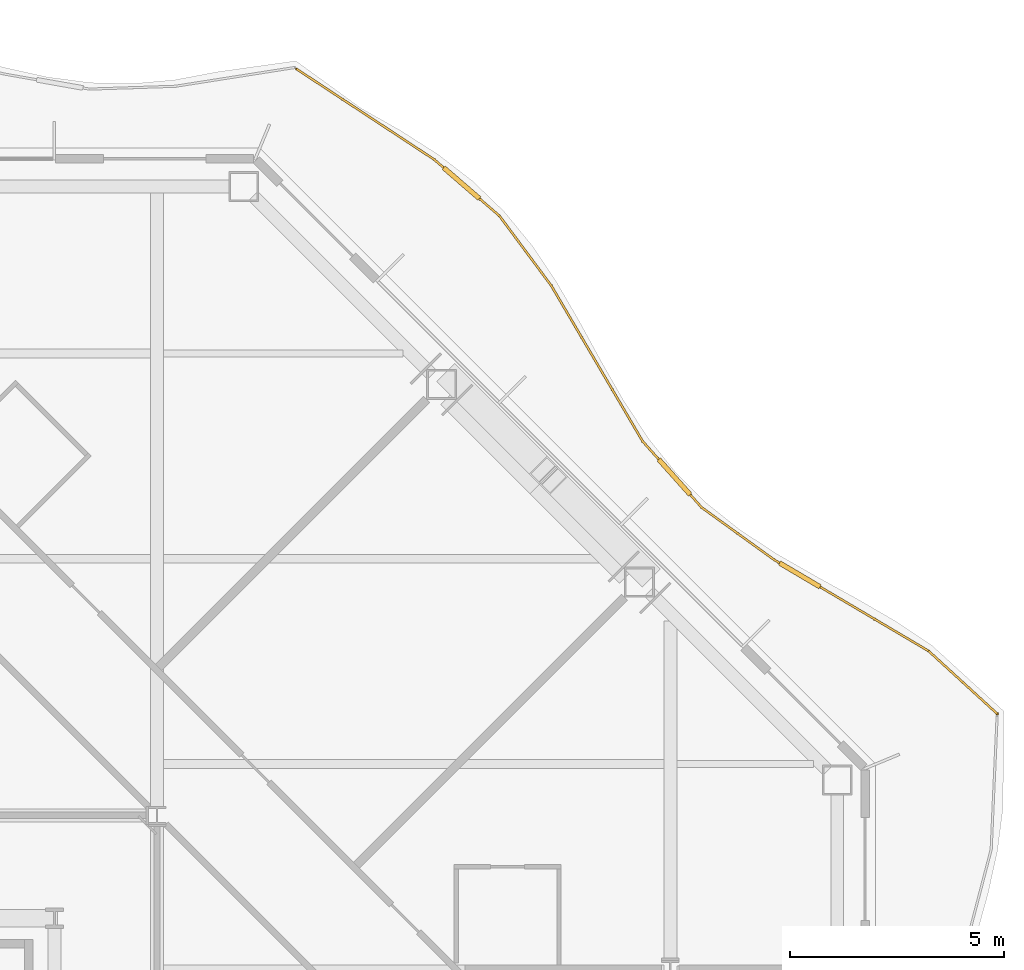
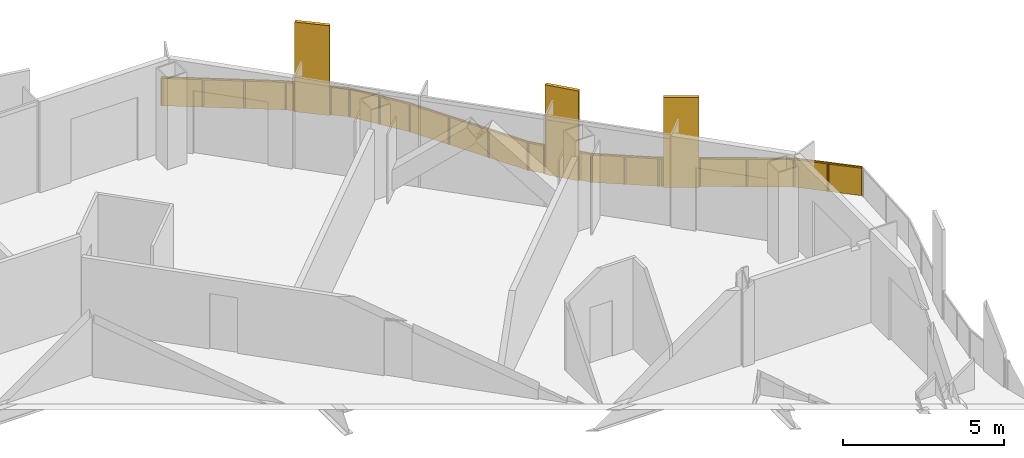
# One storey, part 21 of 21: 1 railing.
"""IFC4 building model written with IfcOpenShell, lengths in metres."""

from ifc_helpers import new_model, si_unit, direction, frame, origin, origin_2d, place, context, subcontext, project, spatial, polyline, rectangle, outline, extrude, material, type_object, element, save


model = new_model("IFC4")

# Units and contexts
model_context = context("Model", 3, precision=1e-05, world=origin(), true_north=direction((0.0, 1.0)))
body_context = subcontext(model_context, "Body", "Model", "MODEL_VIEW")
ifc_project = project(units=[si_unit("LENGTHUNIT", "METRE"), si_unit("AREAUNIT", "SQUARE_METRE"), si_unit("VOLUMEUNIT", "CUBIC_METRE"), si_unit("PLANEANGLEUNIT", "RADIAN"), si_unit("MASSUNIT", "GRAM", prefix="KILO")], contexts=[model_context])

# Site, building, storey
site_placement = place(None, origin())
site = spatial("IfcSite", under=ifc_project, at=site_placement, CompositionType="ELEMENT")
building_placement = place(site_placement, origin())
building = spatial("IfcBuilding", under=site, at=building_placement, Name="Cairn Pilgrim Tower", CompositionType="ELEMENT")
storey_placement = place(building_placement, frame((0.0, 0.0, 132.60009765625)))
storey = spatial("IfcBuildingStorey", under=building, at=storey_placement, Name="L32", CompositionType="ELEMENT", Elevation=132.60009765625)

# Railing
ifc_material = material(Name="Bronze anodised aluminium rail, posts and fin screens with laminated glass infill", Category="aluminium")
railing_type = type_object("IfcRailingType", Name="BALCONY GUARD WITH FIN SCREENS", PredefinedType="GUARDRAIL", material=ifc_material)
railing_placement = place(storey_placement, frame((38.83935546875, 15.576171875, 0.0)))
element("IfcRailing", 1, at=railing_placement, inside=storey, type_object=railing_type, Name="Balcony guard BGF-4 with fin screens", PredefinedType="GUARDRAIL", context=body_context, shape_type="SweptSolid", body=[
    extrude(rectangle(XDim=0.050048828125, YDim=0.050048828125, at=origin_2d()), frame((0.0, 0.0, 1.0751953125), z_axis=(-0.737797082339, 0.675022566506, 0.0), x_axis=(-0.675022566506, -0.737797082339, 0.0)), (0.0, 0.0, 1.0), 2.174072265625),
    extrude(rectangle(XDim=1.10009765625, YDim=0.110107421875, at=origin_2d()), frame((-4.61474609375, 3.246337890625, 0.0), z_axis=(0.0, 0.0, 1.0), x_axis=(-0.860978636449, 0.508641118648, 0.0)), (0.0, 0.0, 1.0), 3.39990234375),
    extrude(rectangle(XDim=0.050048828125, YDim=0.050048828125, at=origin_2d()), frame((-1.60400390625, 1.467529296875, 1.0751953125), z_axis=(-0.860978636449, 0.508641118648, 0.0), x_axis=(-0.508641118648, -0.860978636449, 0.0)), (0.0, 0.0, 1.0), 2.947021484375),
    extrude(rectangle(XDim=0.050048828125, YDim=0.050048828125, at=origin_2d()), frame((-5.08837890625, 3.52587890625, 1.0751953125), z_axis=(-0.860978636449, 0.508641118648, 0.0), x_axis=(-0.508641118648, -0.860978636449, 0.0)), (0.0, 0.0, 1.0), 0.150146484375),
    extrude(rectangle(XDim=0.050048828125, YDim=0.050048828125, at=origin_2d()), frame((-5.217529296875, 3.602294921875, 1.0751953125), z_axis=(-0.810916787047, 0.585161485818, 0.0), x_axis=(-0.585161485818, -0.810916787047, 0.0)), (0.0, 0.0, 1.0), 2.086181640625),
    extrude(rectangle(XDim=1.10009765625, YDim=0.110107421875, at=origin_2d()), frame((-7.543701171875, 5.5341796875, 0.0), z_axis=(0.0, 0.0, 1.0), x_axis=(-0.665701794098, 0.746217877925, 0.0)), (0.0, 0.0, 1.0), 3.39990234375),
    extrude(rectangle(XDim=0.050048828125, YDim=0.050048828125, at=origin_2d()), frame((-6.9091796875, 4.822998046875, 1.0751953125), z_axis=(-0.665701794098, 0.746217877925, 0.0), x_axis=(-0.746217877925, -0.665701794098, 0.0)), (0.0, 0.0, 1.0), 0.403076171875),
    extrude(rectangle(XDim=0.050048828125, YDim=0.050048828125, at=origin_2d()), frame((-7.90966796875, 5.944580078125, 1.0751953125), z_axis=(-0.665701794098, 0.746217877925, 0.0), x_axis=(-0.746217877925, -0.665701794098, 0.0)), (0.0, 0.0, 1.0), 0.56787109375),
    extrude(rectangle(XDim=0.050048828125, YDim=0.050048828125, at=origin_2d()), frame((-8.287841796875, 6.368408203125, 1.0751953125), z_axis=(-0.506184649449, 0.862425127569, 0.0), x_axis=(-0.862425127569, -0.506184649449, 0.0)), (0.0, 0.0, 1.0), 4.21533203125),
    extrude(rectangle(XDim=0.050048828125, YDim=0.050048828125, at=origin_2d()), frame((-10.421630859375, 10.00390625, 1.0751953125), z_axis=(-0.596036689658, 0.80295719972, 0.0), x_axis=(-0.80295719972, -0.596036689658, 0.0)), (0.0, 0.0, 1.0), 2.0341796875),
    extrude(rectangle(XDim=1.10009765625, YDim=0.110107421875, at=origin_2d()), frame((-12.52197265625, 12.404296875, 0.0), z_axis=(0.0, 0.0, 1.0), x_axis=(-0.756771251434, 0.653679793939, 0.0)), (0.0, 0.0, 1.0), 3.39990234375),
    extrude(rectangle(XDim=0.050048828125, YDim=0.050048828125, at=origin_2d()), frame((-11.634033203125, 11.63720703125, 1.0751953125), z_axis=(-0.756771251434, 0.653679793939, 0.0), x_axis=(-0.653679793939, -0.756771251434, 0.0)), (0.0, 0.0, 1.0), 0.623291015625),
    extrude(rectangle(XDim=0.050048828125, YDim=0.050048828125, at=origin_2d()), frame((-12.938232421875, 12.763671875, 1.0751953125), z_axis=(-0.756771251434, 0.653679793939, 0.0), x_axis=(-0.653679793939, -0.756771251434, 0.0)), (0.0, 0.0, 1.0), 0.2919921875),
    extrude(rectangle(XDim=0.050048828125, YDim=0.050048828125, at=origin_2d()), frame((-13.1591796875, 12.95458984375, 1.0751953125), z_axis=(-0.835542609382, 0.549425652757, 0.0), x_axis=(-0.549425652757, -0.835542609382, 0.0)), (0.0, 0.0, 1.0), 3.853515625),
    extrude(rectangle(XDim=0.050048828125, YDim=0.050048828125, at=origin_2d()), origin(), (0.0, 0.0, 1.0), 1.050048828125),
    extrude(rectangle(XDim=0.050048828125, YDim=0.050048828125, at=origin_2d()), frame((-0.802001953125, 0.73388671875, 0.0)), (0.0, 0.0, 1.0), 1.050048828125),
    extrude(rectangle(XDim=0.050048828125, YDim=0.050048828125, at=origin_2d()), frame((-1.60400390625, 1.467529296875, 0.0)), (0.0, 0.0, 1.0), 1.050048828125),
    extrude(rectangle(XDim=0.050048828125, YDim=0.050048828125, at=origin_2d()), frame((-2.86181640625, 2.210693359375, 0.0)), (0.0, 0.0, 1.0), 1.050048828125),
    extrude(rectangle(XDim=0.050048828125, YDim=0.050048828125, at=origin_2d()), frame((-4.11962890625, 2.953857421875, 0.0)), (0.0, 0.0, 1.0), 1.050048828125),
    extrude(rectangle(XDim=0.050048828125, YDim=0.050048828125, at=origin_2d()), frame((-5.10986328125, 3.538818359375, 0.0)), (0.0, 0.0, 1.0), 1.050048828125),
    extrude(rectangle(XDim=0.050048828125, YDim=0.050048828125, at=origin_2d()), frame((-5.217529296875, 3.602294921875, 0.0)), (0.0, 0.0, 1.0), 1.050048828125),
    extrude(rectangle(XDim=0.050048828125, YDim=0.050048828125, at=origin_2d()), frame((-6.0634765625, 4.212646484375, 0.0)), (0.0, 0.0, 1.0), 1.050048828125),
    extrude(rectangle(XDim=0.050048828125, YDim=0.050048828125, at=origin_2d()), frame((-6.9091796875, 4.822998046875, 0.0)), (0.0, 0.0, 1.0), 1.050048828125),
    extrude(rectangle(XDim=0.050048828125, YDim=0.050048828125, at=origin_2d()), frame((-7.160888671875, 5.10498046875, 0.0)), (0.0, 0.0, 1.0), 1.050048828125),
    extrude(rectangle(XDim=0.050048828125, YDim=0.050048828125, at=origin_2d()), frame((-7.926513671875, 5.96337890625, 0.0)), (0.0, 0.0, 1.0), 1.050048828125),
    extrude(rectangle(XDim=0.050048828125, YDim=0.050048828125, at=origin_2d()), frame((-8.287841796875, 6.368408203125, 0.0)), (0.0, 0.0, 1.0), 1.050048828125),
    extrude(rectangle(XDim=0.050048828125, YDim=0.050048828125, at=origin_2d()), frame((-8.9990234375, 7.580322265625, 0.0)), (0.0, 0.0, 1.0), 1.050048828125),
    extrude(rectangle(XDim=0.050048828125, YDim=0.050048828125, at=origin_2d()), frame((-9.71044921875, 8.7919921875, 0.0)), (0.0, 0.0, 1.0), 1.050048828125),
    extrude(rectangle(XDim=0.050048828125, YDim=0.050048828125, at=origin_2d()), frame((-10.421630859375, 10.00390625, 0.0)), (0.0, 0.0, 1.0), 1.050048828125),
    extrude(rectangle(XDim=0.050048828125, YDim=0.050048828125, at=origin_2d()), frame((-11.02783203125, 10.820556640625, 0.0)), (0.0, 0.0, 1.0), 1.050048828125),
    extrude(rectangle(XDim=0.050048828125, YDim=0.050048828125, at=origin_2d()), frame((-11.634033203125, 11.63720703125, 0.0)), (0.0, 0.0, 1.0), 1.050048828125),
    extrude(rectangle(XDim=0.050048828125, YDim=0.050048828125, at=origin_2d()), frame((-12.0869140625, 12.0283203125, 0.0)), (0.0, 0.0, 1.0), 1.050048828125),
    extrude(rectangle(XDim=0.050048828125, YDim=0.050048828125, at=origin_2d()), frame((-12.95703125, 12.780029296875, 0.0)), (0.0, 0.0, 1.0), 1.050048828125),
    extrude(rectangle(XDim=0.050048828125, YDim=0.050048828125, at=origin_2d()), frame((-13.1591796875, 12.95458984375, 0.0)), (0.0, 0.0, 1.0), 1.050048828125),
    extrude(rectangle(XDim=0.050048828125, YDim=0.050048828125, at=origin_2d()), frame((-14.232421875, 13.660400390625, 0.0)), (0.0, 0.0, 1.0), 1.050048828125),
    extrude(rectangle(XDim=0.050048828125, YDim=0.050048828125, at=origin_2d()), frame((-15.3056640625, 14.365966796875, 0.0)), (0.0, 0.0, 1.0), 1.050048828125),
    extrude(rectangle(XDim=0.050048828125, YDim=0.050048828125, at=origin_2d()), frame((-16.37890625, 15.07177734375, 0.0)), (0.0, 0.0, 1.0), 1.050048828125),
    extrude(outline(polyline([(0.02490234375, 0.0), (1.06201171875, 0.0), (1.06201171875, 1.050048828125), (0.02490234375, 1.050048828125), (0.02490234375, 0.0)])), frame((-0.004150390625, -0.00439453125, 0.0), z_axis=(0.675022566506, 0.737797082339, 0.0), x_axis=(-0.737797082339, 0.675022566506, 0.0)), (0.0, 0.0, 1.0), 0.011962890625),
    extrude(outline(polyline([(0.02490234375, 0.0), (1.06201171875, 0.0), (1.06201171875, 1.050048828125), (0.02490234375, 1.050048828125), (0.02490234375, 0.0)])), frame((-0.80615234375, 0.729248046875, 0.0), z_axis=(0.675022566506, 0.737797082339, 0.0), x_axis=(-0.737797082339, 0.675022566506, 0.0)), (0.0, 0.0, 1.0), 0.011962890625),
    extrude(outline(polyline([(0.02490234375, 0.0), (1.43603515625, 0.0), (1.43603515625, 1.050048828125), (0.02490234375, 1.050048828125), (0.02490234375, 0.0)])), frame((-1.60693359375, 1.46240234375, 0.0), z_axis=(0.508641118648, 0.860978636449, 0.0), x_axis=(-0.860978636449, 0.508641118648, 0.0)), (0.0, 0.0, 1.0), 0.011962890625),
    extrude(outline(polyline([(0.02490234375, 0.0), (1.43603515625, 0.0), (1.43603515625, 1.050048828125), (0.02490234375, 1.050048828125), (0.02490234375, 0.0)])), frame((-2.864990234375, 2.20556640625, 0.0), z_axis=(0.508641118648, 0.860978636449, 0.0), x_axis=(-0.860978636449, 0.508641118648, 0.0)), (0.0, 0.0, 1.0), 0.011962890625),
    extrude(outline(polyline([(0.02490234375, 0.0), (0.10009765625, 0.0), (0.10009765625, 1.050048828125), (0.02490234375, 1.050048828125), (0.02490234375, 0.0)])), frame((-5.113037109375, 3.533447265625, 0.0), z_axis=(0.508641118648, 0.860978636449, 0.0), x_axis=(-0.860978636449, 0.508641118648, 0.0)), (0.0, 0.0, 1.0), 0.011962890625),
    extrude(outline(polyline([(0.02490234375, 0.0), (1.01806640625, 0.0), (1.01806640625, 1.050048828125), (0.02490234375, 1.050048828125), (0.02490234375, 0.0)])), frame((-5.220947265625, 3.597412109375, 0.0), z_axis=(0.585161485818, 0.810916787047, 0.0), x_axis=(-0.810916787047, 0.585161485818, 0.0)), (0.0, 0.0, 1.0), 0.011962890625),
    extrude(outline(polyline([(0.02490234375, 0.0), (1.01806640625, 0.0), (1.01806640625, 1.050048828125), (0.02490234375, 1.050048828125), (0.02490234375, 0.0)])), frame((-6.06689453125, 4.207763671875, 0.0), z_axis=(0.585161485818, 0.810916787047, 0.0), x_axis=(-0.810916787047, 0.585161485818, 0.0)), (0.0, 0.0, 1.0), 0.011962890625),
    extrude(outline(polyline([(0.02490234375, 0.0), (0.35302734375, 0.0), (0.35302734375, 1.050048828125), (0.02490234375, 1.050048828125), (0.02490234375, 0.0)])), frame((-6.91357421875, 4.819091796875, 0.0), z_axis=(0.746217877925, 0.665701794098, 0.0), x_axis=(-0.665701794098, 0.746217877925, 0.0)), (0.0, 0.0, 1.0), 0.011962890625),
    extrude(outline(polyline([(0.02490234375, 0.0), (0.517822265625, 0.0), (0.517822265625, 1.050048828125), (0.02490234375, 1.050048828125), (0.02490234375, 0.0)])), frame((-7.930908203125, 5.959228515625, 0.0), z_axis=(0.746217877925, 0.665701794098, 0.0), x_axis=(-0.665701794098, 0.746217877925, 0.0)), (0.0, 0.0, 1.0), 0.011962890625),
    extrude(outline(polyline([(0.02490234375, 0.0), (1.380126953125, 0.0), (1.380126953125, 1.050048828125), (0.02490234375, 1.050048828125), (0.02490234375, 0.0)])), frame((-8.29296875, 6.365478515625, 0.0), z_axis=(0.862425127569, 0.506184649449, 0.0), x_axis=(-0.506184649449, 0.862425127569, 0.0)), (0.0, 0.0, 1.0), 0.011962890625),
    extrude(outline(polyline([(0.02490234375, 0.0), (1.380126953125, 0.0), (1.380126953125, 1.050048828125), (0.02490234375, 1.050048828125), (0.02490234375, 0.0)])), frame((-9.004150390625, 7.5771484375, 0.0), z_axis=(0.862425127569, 0.506184649449, 0.0), x_axis=(-0.506184649449, 0.862425127569, 0.0)), (0.0, 0.0, 1.0), 0.011962890625),
    extrude(outline(polyline([(0.02490234375, 0.0), (1.380126953125, 0.0), (1.380126953125, 1.050048828125), (0.02490234375, 1.050048828125), (0.02490234375, 0.0)])), frame((-9.715576171875, 8.7890625, 0.0), z_axis=(0.862425127569, 0.506184649449, 0.0), x_axis=(-0.506184649449, 0.862425127569, 0.0)), (0.0, 0.0, 1.0), 0.011962890625),
    extrude(outline(polyline([(0.02490234375, 0.0), (0.991943359375, 0.0), (0.991943359375, 1.050048828125), (0.02490234375, 1.050048828125), (0.02490234375, 0.0)])), frame((-10.426513671875, 10.000244140625, 0.0), z_axis=(0.80295719972, 0.596036689658, 0.0), x_axis=(-0.596036689658, 0.80295719972, 0.0)), (0.0, 0.0, 1.0), 0.011962890625),
    extrude(outline(polyline([(0.02490234375, 0.0), (0.991943359375, 0.0), (0.991943359375, 1.050048828125), (0.02490234375, 1.050048828125), (0.02490234375, 0.0)])), frame((-11.03271484375, 10.81689453125, 0.0), z_axis=(0.80295719972, 0.596036689658, 0.0), x_axis=(-0.596036689658, 0.80295719972, 0.0)), (0.0, 0.0, 1.0), 0.011962890625),
    extrude(outline(polyline([(0.02490234375, 0.0), (0.5732421875, 0.0), (0.5732421875, 1.050048828125), (0.02490234375, 1.050048828125), (0.02490234375, 0.0)])), frame((-11.637939453125, 11.632568359375, 0.0), z_axis=(0.653679793939, 0.756771251434, 0.0), x_axis=(-0.756771251434, 0.653679793939, 0.0)), (0.0, 0.0, 1.0), 0.011962890625),
    extrude(outline(polyline([(0.02490234375, 0.0), (0.241943359375, 0.0), (0.241943359375, 1.050048828125), (0.02490234375, 1.050048828125), (0.02490234375, 0.0)])), frame((-12.9609375, 12.775634765625, 0.0), z_axis=(0.653679793939, 0.756771251434, 0.0), x_axis=(-0.756771251434, 0.653679793939, 0.0)), (0.0, 0.0, 1.0), 0.011962890625),
    extrude(outline(polyline([(0.02490234375, 0.0), (1.259521484375, 0.0), (1.259521484375, 1.050048828125), (0.02490234375, 1.050048828125), (0.02490234375, 0.0)])), frame((-13.162353515625, 12.94970703125, 0.0), z_axis=(0.549425652757, 0.835542609382, 0.0), x_axis=(-0.835542609382, 0.549425652757, 0.0)), (0.0, 0.0, 1.0), 0.011962890625),
    extrude(outline(polyline([(0.02490234375, 0.0), (1.259521484375, 0.0), (1.259521484375, 1.050048828125), (0.02490234375, 1.050048828125), (0.02490234375, 0.0)])), frame((-14.235595703125, 13.6552734375, 0.0), z_axis=(0.549425652757, 0.835542609382, 0.0), x_axis=(-0.835542609382, 0.549425652757, 0.0)), (0.0, 0.0, 1.0), 0.011962890625),
    extrude(outline(polyline([(0.02490234375, 0.0), (1.259521484375, 0.0), (1.259521484375, 1.050048828125), (0.02490234375, 1.050048828125), (0.02490234375, 0.0)])), frame((-15.308837890625, 14.361083984375, 0.0), z_axis=(0.549425652757, 0.835542609382, 0.0), x_axis=(-0.835542609382, 0.549425652757, 0.0)), (0.0, 0.0, 1.0), 0.011962890625),
])

save(model, "model.ifc")
